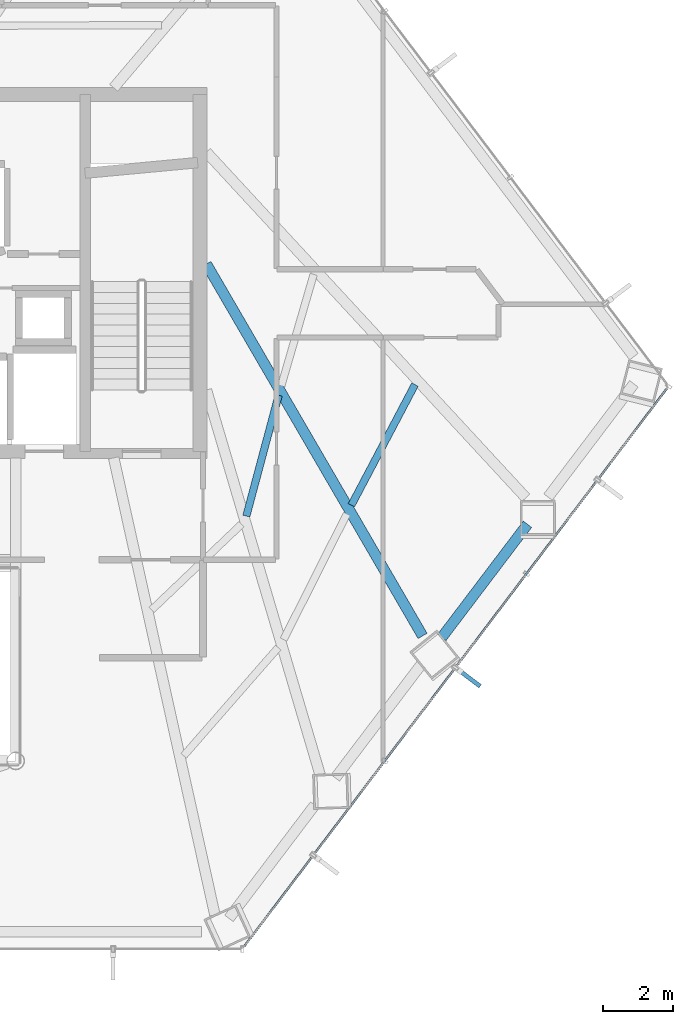
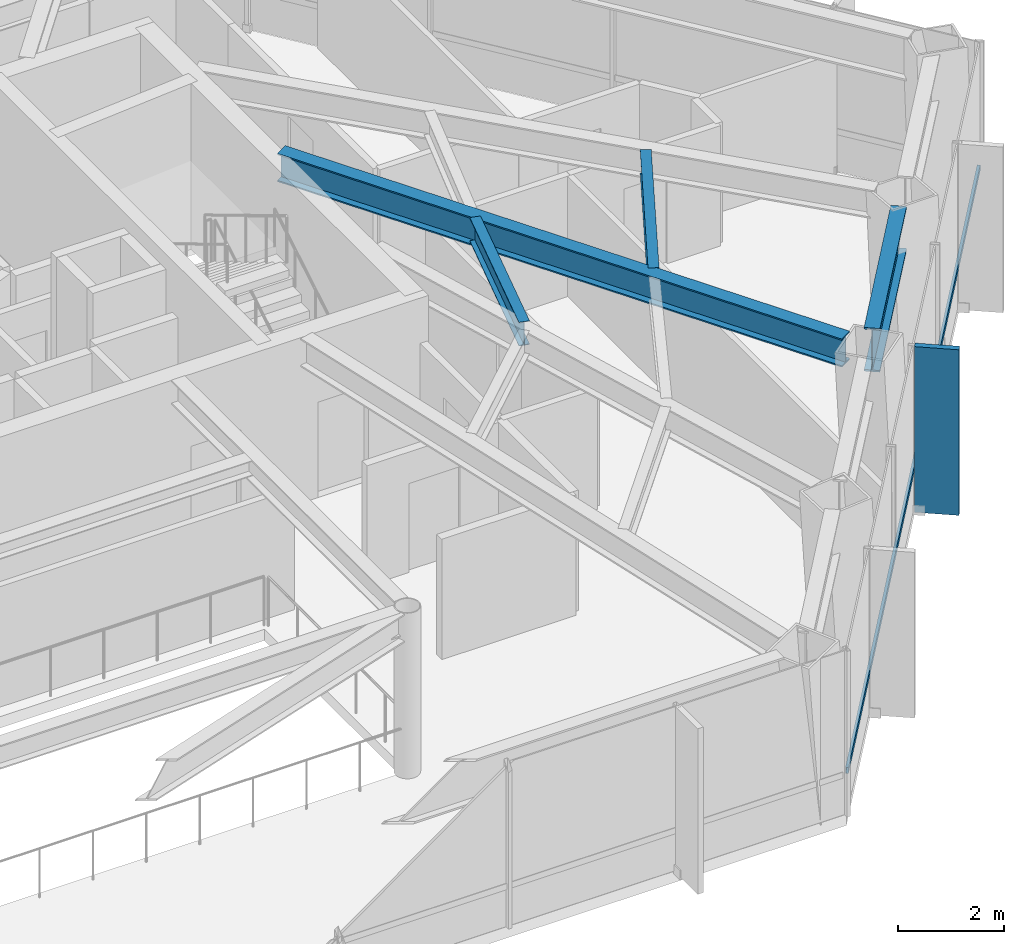
# One storey, part 19 of 27: 4 beams, 2 members, 1 element without a shape of its own.
"""IFC4 building model written with IfcOpenShell, lengths in metres."""

from ifc_helpers import new_model, si_unit, direction, frame, origin, origin_2d, place, context, subcontext, project, spatial, rectangle, hollow_rectangle, i_section, extrude, material, layer, layer_set, material_profile, profile_set, type_object, element, aggregate, save


model = new_model("IFC4")

# Units and contexts
model_context = context("Model", 3, precision=1e-05, world=origin(), true_north=direction((0.0, 1.0)))
body_context = subcontext(model_context, "Body", "Model", "MODEL_VIEW")
ifc_project = project(units=[si_unit("LENGTHUNIT", "METRE"), si_unit("AREAUNIT", "SQUARE_METRE"), si_unit("VOLUMEUNIT", "CUBIC_METRE"), si_unit("PLANEANGLEUNIT", "RADIAN"), si_unit("MASSUNIT", "GRAM", prefix="KILO")], contexts=[model_context])

# Site, building, storey
site_placement = place(None, origin())
site = spatial("IfcSite", under=ifc_project, at=site_placement, CompositionType="ELEMENT")
building_placement = place(site_placement, origin())
building = spatial("IfcBuilding", under=site, at=building_placement, Name="Zarrinselat Tower", CompositionType="ELEMENT")
storey_placement = place(building_placement, frame((0.0, 0.0, 47.93994140625)))
storey = spatial("IfcBuildingStorey", under=building, at=storey_placement, Name="L11", CompositionType="ELEMENT", Elevation=47.93994140625)

# Beams
ifc_material_1 = material(Name="Steel S355J2", Category="steel")
ifc_material_profile_1 = material_profile(ifc_material_1, i_section(OverallWidth=0.300048828125, OverallDepth=0.64990234375, WebThickness=0.01611328125, FlangeThickness=0.031005859375, at=origin_2d()), Name="HEB 650")
ifc_profile_set_1 = profile_set([ifc_material_profile_1], Name="Steel S355J2")
beam_type_1 = type_object("IfcBeamType", Name="BM-HEB650", PredefinedType="BEAM", material=ifc_profile_set_1)
beam_1_placement = place(storey_placement, frame((48.449951171875, 38.60009765625, 3.4951171875), z_axis=(0.502612172736, -0.864512003281, 0.0), x_axis=(0.864512003281, 0.502612172736, 0.0)))
element("IfcBeam", 1, at=beam_1_placement, inside=storey, type_object=beam_type_1, Name="L11 Radial Primary Girder RG13", PredefinedType="BEAM", context=body_context, shape_type="SweptSolid", body=[
    extrude(i_section(OverallWidth=0.300048828125, OverallDepth=0.64990234375, WebThickness=0.01611328125, FlangeThickness=0.031005859375, at=origin_2d()), origin(), (0.0, 0.0, 1.0), 12.292724609375),
])
ifc_material_2 = material(Name="Steel S460M", Category="steel")
ifc_material_profile_2 = material_profile(ifc_material_2, i_section(OverallWidth=0.302001953125, OverallDepth=1.008056640625, WebThickness=0.02099609375, FlangeThickness=0.0400390625, at=origin_2d()), Name="HEM 1000")
ifc_profile_set_2 = profile_set([ifc_material_profile_2], Name="Steel S460M")
beam_type_2 = type_object("IfcBeamType", Name="BM-HEM1000", PredefinedType="BEAM", material=ifc_profile_set_2)
beam_2_placement = place(storey_placement, frame((55.17529296875, 27.927734375, 3.316162109375), z_axis=(0.603890109668, 0.797067585243, 0.0), x_axis=(-0.797067585243, 0.603890109668, 0.0)))
element("IfcBeam", 2, at=beam_2_placement, inside=storey, type_object=beam_type_2, Name="L11 Perimeter Spandrel Girder SP13", PredefinedType="BEAM", context=body_context, shape_type="SweptSolid", body=[
    extrude(i_section(OverallWidth=0.302001953125, OverallDepth=1.008056640625, WebThickness=0.02099609375, FlangeThickness=0.0400390625, at=origin_2d()), origin(), (0.0, 0.0, 1.0), 4.059326171875),
])
ifc_material_3 = material(Name="Steel S355J2", Category="steel")
ifc_material_profile_3 = material_profile(ifc_material_3, i_section(OverallWidth=0.2099609375, OverallDepth=0.550048828125, WebThickness=0.010986328125, FlangeThickness=0.01708984375, at=origin_2d()), Name="IPE 550")
ifc_profile_set_3 = profile_set([ifc_material_profile_3], Name="Steel S355J2")
beam_type_3 = type_object("IfcBeamType", Name="BM-IPE550", PredefinedType="JOIST", material=ifc_profile_set_3)
beam_3_placement = place(storey_placement, frame((49.590576171875, 31.3974609375, 3.545166015625), z_axis=(0.258376559287, 0.966044281392, 0.0), x_axis=(-0.966044281392, 0.258376559287, 0.0)))
element("IfcBeam", 3, at=beam_3_placement, inside=storey, type_object=beam_type_3, Name="L11 Composite Floor Joist 4-2", PredefinedType="JOIST", context=body_context, shape_type="SweptSolid", body=[
    extrude(i_section(OverallWidth=0.2099609375, OverallDepth=0.550048828125, WebThickness=0.010986328125, FlangeThickness=0.01708984375, at=origin_2d()), origin(), (0.0, 0.0, 1.0), 3.575439453125),
])
beam_4_placement = place(storey_placement, frame((52.593017578125, 31.7099609375, 3.545166015625), z_axis=(0.466582989708, 0.884477424084, 0.0), x_axis=(-0.884477424084, 0.466582989708, 0.0)))
element("IfcBeam", 4, at=beam_4_placement, inside=storey, type_object=beam_type_3, Name="L11 Composite Floor Joist 5-1", PredefinedType="JOIST", context=body_context, shape_type="SweptSolid", body=[
    extrude(i_section(OverallWidth=0.2099609375, OverallDepth=0.550048828125, WebThickness=0.010986328125, FlangeThickness=0.01708984375, at=origin_2d()), origin(), (0.0, 0.0, 1.0), 3.896240234375),
])

# Curtain wall, members
ifc_material_4 = material(Name="Extruded Aluminium Alloy EN AW-6063 T6", Category="aluminium")
ifc_layer = layer(ifc_material_4, 0.18505859375)
ifc_layer_set = layer_set([ifc_layer], Name="Extruded Aluminium Alloy EN AW-6063 T6")
curtain_wall_type = type_object("IfcCurtainWallType", Name="CWS-OFF", PredefinedType="NOTDEFINED", material=ifc_layer_set)
curtain_wall_placement = place(storey_placement, origin())
curtain_wall = element("IfcCurtainWall", 5, at=curtain_wall_placement, inside=storey, type_object=curtain_wall_type, Name="L11 Unitised Curtain Wall CW-L11-E05", PredefinedType="NOTDEFINED")
ifc_material_5 = material(Name="Extruded Aluminium Alloy EN AW-6063 T6", Category="aluminium")
ifc_material_profile_4 = material_profile(ifc_material_5, hollow_rectangle(XDim=0.06005859375, YDim=0.139892578125, WallThickness=0.00390625, at=origin_2d()), Name="RHS 140x60x4")
ifc_profile_set_4 = profile_set([ifc_material_profile_4], Name="Extruded Aluminium Alloy EN AW-6063 T6")
member_type_1 = type_object("IfcMemberType", Name="MEM-CW-TRN", PredefinedType="USERDEFINED", material=ifc_profile_set_4)
member_1_placement = place(storey_placement, frame((49.52880859375, 19.094482421875, 0.949951171875), z_axis=(0.603863327484, 0.797087875783, 0.0), x_axis=(-0.797087875783, 0.603863327484, 0.0)))
member_1 = element("IfcMember", 6, at=member_1_placement, type_object=member_type_1, Name="CW-L11-E05 Transom 1", ObjectType="TRANSOM", PredefinedType="USERDEFINED", context=body_context, shape_type="SweptSolid", body=[
    extrude(hollow_rectangle(XDim=0.06005859375, YDim=0.139892578125, WallThickness=0.00390625, at=origin_2d()), origin(), (0.0, 0.0, 1.0), 20.00390625),
])
ifc_material_6 = material(Name="Honed Cream Travertine Stone", Category="masonry")
ifc_material_profile_5 = material_profile(ifc_material_6, rectangle(XDim=0.1201171875, YDim=0.85009765625, at=origin_2d()), Name="FIN 850x120")
ifc_profile_set_5 = profile_set([ifc_material_profile_5], Name="Honed Cream Travertine Stone")
member_type_2 = type_object("IfcMemberType", Name="MEM-STONE-FIN", PredefinedType="USERDEFINED", material=ifc_profile_set_5)
member_2_placement = place(storey_placement, frame((55.935302734375, 26.7890625, 0.0), z_axis=(0.0, 0.0, 1.0), x_axis=(-0.603859118859, -0.797091064164, 0.0)))
member_2 = element("IfcMember", 7, at=member_2_placement, type_object=member_type_2, Name="L11 Stone Shading Fin CW-L11-E05-03", ObjectType="FIN", PredefinedType="USERDEFINED", context=body_context, shape_type="SweptSolid", body=[
    extrude(rectangle(XDim=0.1201171875, YDim=0.85009765625, at=origin_2d()), origin(), (0.0, 0.0, 1.0), 3.820068359375),
])
aggregate(curtain_wall, [member_2, member_1])

save(model, "model.ifc")
